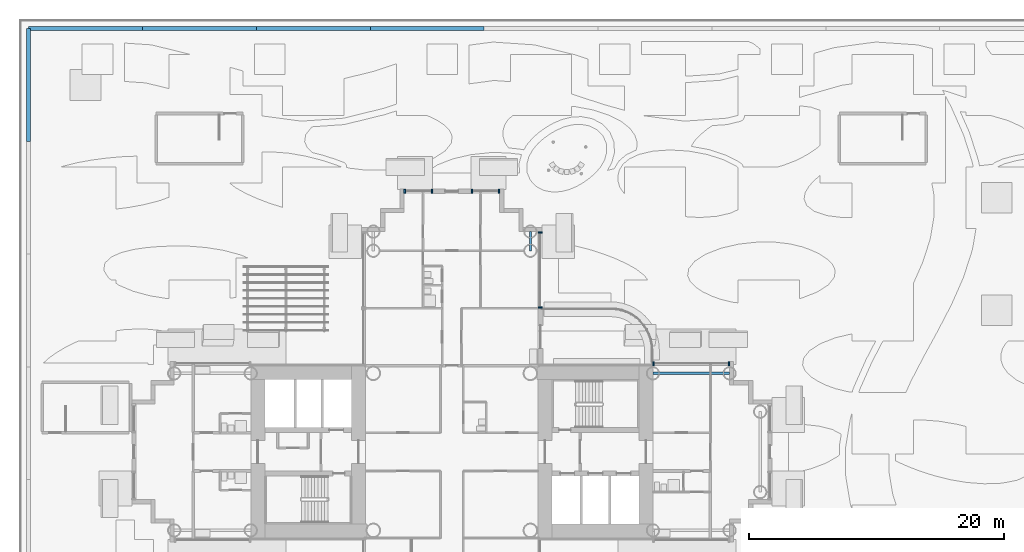
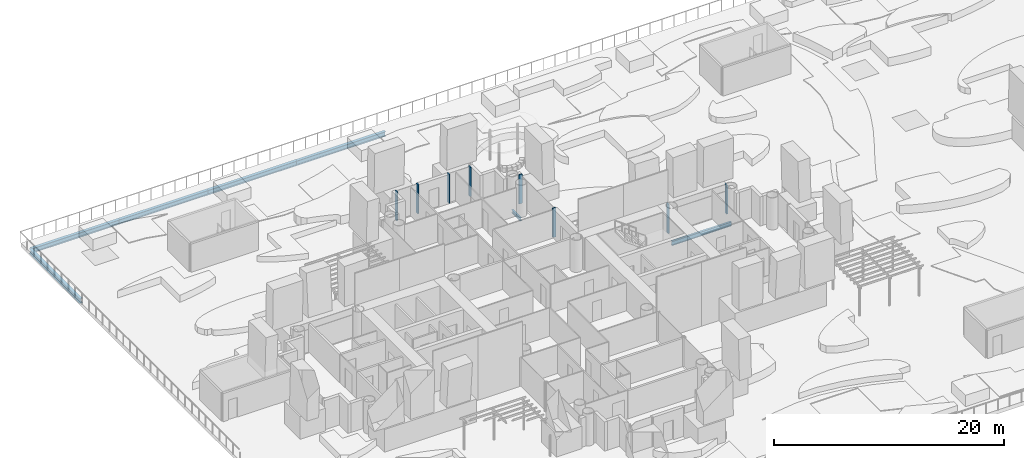
# One storey, part 11 of 40: 8 members, 7 beams, 4 elements without a shape of their own.
"""IFC4 building model written with IfcOpenShell, lengths in metres."""

from ifc_helpers import new_model, si_unit, direction, frame, origin, origin_2d, place, context, subcontext, project, spatial, rectangle, i_section, extrude, material, layer, layer_set, material_profile, profile_set, type_object, element, aggregate, save


model = new_model("IFC4")

# Units and contexts
model_context = context("Model", 3, precision=1e-05, world=origin(), true_north=direction((0.0, 1.0)))
body_context = subcontext(model_context, "Body", "Model", "MODEL_VIEW")
ifc_project = project(units=[si_unit("LENGTHUNIT", "METRE"), si_unit("AREAUNIT", "SQUARE_METRE"), si_unit("VOLUMEUNIT", "CUBIC_METRE"), si_unit("PLANEANGLEUNIT", "RADIAN"), si_unit("MASSUNIT", "GRAM", prefix="KILO")], contexts=[model_context])

# Site, building, storey
site_placement = place(None, origin())
site = spatial("IfcSite", under=ifc_project, at=site_placement, CompositionType="ELEMENT")
building_placement = place(site_placement, origin())
building = spatial("IfcBuilding", under=site, at=building_placement, Name="Ipe Terrace Towers", CompositionType="ELEMENT")
storey_placement = place(building_placement, frame((0.0, 0.0, 24.5)))
storey = spatial("IfcBuildingStorey", under=building, at=storey_placement, Name="L05", CompositionType="ELEMENT", Elevation=24.5)

# Beams
ifc_material_1 = material(Name="Steel S355", Category="steel")
ifc_material_profile_1 = material_profile(ifc_material_1, i_section(OverallWidth=0.175048828125, OverallDepth=0.35009765625, WebThickness=0.007080078125, FlangeThickness=0.010986328125, at=origin_2d()), Name="H-350x175x7x11")
ifc_profile_set_1 = profile_set([ifc_material_profile_1], Name="Steel S355")
beam_type_1 = type_object("IfcBeamType", Name="H04 EDGE BEAM H-350x175x7x11", PredefinedType="BEAM", material=ifc_profile_set_1)
beam_1_placement = place(storey_placement, frame((-29.85009765625, 15.75, -0.574951171875), z_axis=(0.0, 1.0, 0.0), x_axis=(-1.0, 0.0, 0.0)))
element("IfcBeam", 1, at=beam_1_placement, inside=storey, type_object=beam_type_1, Name="Edge beam T1-EB-B03-B05", PredefinedType="BEAM", context=body_context, shape_type="SweptSolid", body=[
    extrude(i_section(OverallWidth=0.175048828125, OverallDepth=0.35009765625, WebThickness=0.007080078125, FlangeThickness=0.010986328125, at=origin_2d()), origin(), (0.0, 0.0, 1.0), 1.5),
])
ifc_material_2 = material(Name="Steel S355", Category="steel")
ifc_material_profile_2 = material_profile(ifc_material_2, i_section(OverallWidth=0.199951171875, OverallDepth=0.449951171875, WebThickness=0.009033203125, FlangeThickness=0.013916015625, at=origin_2d()), Name="H-450x200x9x14")
ifc_profile_set_2 = profile_set([ifc_material_profile_2], Name="Steel S355")
beam_type_2 = type_object("IfcBeamType", Name="H08 EDGE BEAM H-450x200x9x14", PredefinedType="BEAM", material=ifc_profile_set_2)
beam_2_placement = place(storey_placement, frame((-20.25, 6.14990234375, -0.625), z_axis=(1.0, 0.0, 0.0), x_axis=(0.0, 1.0, 0.0)))
element("IfcBeam", 2, at=beam_2_placement, inside=storey, type_object=beam_type_2, Name="Edge beam T1-EB-A02-A04", PredefinedType="BEAM", context=body_context, shape_type="SweptSolid", body=[
    extrude(i_section(OverallWidth=0.199951171875, OverallDepth=0.449951171875, WebThickness=0.009033203125, FlangeThickness=0.013916015625, at=origin_2d()), origin(), (0.0, 0.0, 1.0), 6.0),
])
ifc_material_3 = material(Name="Steel S355", Category="steel")
ifc_material_profile_3 = material_profile(ifc_material_3, i_section(OverallWidth=0.300048828125, OverallDepth=0.488037109375, WebThickness=0.010986328125, FlangeThickness=0.01806640625, at=origin_2d()), Name="H-488x300x11x18")
ifc_profile_set_3 = profile_set([ifc_material_profile_3], Name="Steel S355")
beam_type_3 = type_object("IfcBeamType", Name="H09 EDGE BEAM H-488x300x11x18", PredefinedType="BEAM", material=ifc_profile_set_3)
beam_3_placement = place(storey_placement, frame((-69.14990234375, 24.321044921875, -0.6689453125), z_axis=(0.0, 1.0, 0.0), x_axis=(-1.0, 0.0, 0.0)))
element("IfcBeam", 3, at=beam_3_placement, inside=storey, type_object=beam_type_3, Name="Edge beam PD-EB-J01-K01", PredefinedType="BEAM", context=body_context, shape_type="SweptSolid", body=[
    extrude(i_section(OverallWidth=0.300048828125, OverallDepth=0.488037109375, WebThickness=0.010986328125, FlangeThickness=0.01806640625, at=origin_2d()), origin(), (0.0, 0.0, 1.0), 8.828857421875),
])
for number, where, z_axis, x_axis, name in (
    (4, (-69.14990234375, 33.14990234375, -0.6689453125), (1.0, 0.0, 0.0), (0.0, 1.0, 0.0), "Edge beam PD-EB-K01-K02"),
    (5, (-60.22998046875, 33.14990234375, -0.6689453125), (1.0, 0.0, 0.0), (0.0, 1.0, 0.0), "Edge beam PD-EB-K02-K03"),
):
    element("IfcBeam", number, at=place(storey_placement, frame(where, z_axis=z_axis, x_axis=x_axis)), inside=storey, type_object=beam_type_3, Name=name, PredefinedType="BEAM", context=body_context, shape_type="SweptSolid", body=[
        extrude(i_section(OverallWidth=0.300048828125, OverallDepth=0.488037109375, WebThickness=0.010986328125, FlangeThickness=0.01806640625, at=origin_2d()), origin(), (0.0, 0.0, 1.0), 8.919921875),
    ])
beam_4_placement = place(storey_placement, frame((-51.31005859375, 33.14990234375, -0.6689453125), z_axis=(1.0, 0.0, 0.0), x_axis=(0.0, 1.0, 0.0)))
element("IfcBeam", 6, at=beam_4_placement, inside=storey, type_object=beam_type_3, Name="Edge beam PD-EB-K03-K04", PredefinedType="BEAM", context=body_context, shape_type="SweptSolid", body=[
    extrude(i_section(OverallWidth=0.300048828125, OverallDepth=0.488037109375, WebThickness=0.010986328125, FlangeThickness=0.01806640625, at=origin_2d()), origin(), (0.0, 0.0, 1.0), 8.920166015625),
])
beam_5_placement = place(storey_placement, frame((-42.389892578125, 33.14990234375, -0.6689453125), z_axis=(1.0, 0.0, 0.0), x_axis=(0.0, 1.0, 0.0)))
element("IfcBeam", 7, at=beam_5_placement, inside=storey, type_object=beam_type_3, Name="Edge beam PD-EB-K04-K05", PredefinedType="BEAM", context=body_context, shape_type="SweptSolid", body=[
    extrude(i_section(OverallWidth=0.300048828125, OverallDepth=0.488037109375, WebThickness=0.010986328125, FlangeThickness=0.01806640625, at=origin_2d()), origin(), (0.0, 0.0, 1.0), 8.919921875),
])

# Curtain wall, members
ifc_material_4 = material(Name="Aluminium alloy 6063-T6", Category="aluminium")
ifc_layer = layer(ifc_material_4, 0.320068359375)
ifc_layer_set = layer_set([ifc_layer], Name="TOWER UNITISED CURTAIN WALL")
curtain_wall_type = type_object("IfcCurtainWallType", Name="TOWER UNITISED CURTAIN WALL", PredefinedType="NOTDEFINED", material=ifc_layer_set)
curtain_wall_1_placement = place(storey_placement, origin())
curtain_wall_1 = element("IfcCurtainWall", 8, at=curtain_wall_1_placement, inside=storey, type_object=curtain_wall_type, Name="T1-CW-L05-30a curtain wall", PredefinedType="NOTDEFINED")
ifc_material_5 = material(Name="Aluminium alloy 6063-T6", Category="aluminium")
ifc_material_profile_4 = material_profile(ifc_material_5, rectangle(XDim=0.320068359375, YDim=0.1201171875, at=origin_2d()), Name="TOWER UNITISED CORNER MULLION 320 x 120")
ifc_profile_set_4 = profile_set([ifc_material_profile_4], Name="Aluminium alloy 6063-T6")
member_type = type_object("IfcMemberType", Name="TOWER UNITISED CORNER MULLION 320 x 120", PredefinedType="MULLION", material=ifc_profile_set_4)
member_1_placement = place(storey_placement, frame((-14.31005859375, 6.909912109375, 0.0), z_axis=(0.0, 0.0, 1.0), x_axis=(0.0, 1.0, 0.0)))
member_1 = element("IfcMember", 9, at=member_1_placement, type_object=member_type, Name="T1-CW-L05-30a mullion 1", PredefinedType="MULLION", context=body_context, shape_type="SweptSolid", body=[
    extrude(rectangle(XDim=0.320068359375, YDim=0.1201171875, at=origin_2d()), origin(), (0.0, 0.0, 1.0), 3.10009765625),
])
member_2_placement = place(storey_placement, frame((-20.18896484375, 6.909912109375, 0.0), z_axis=(0.0, 0.0, 1.0), x_axis=(0.0, 1.0, 0.0)))
member_2 = element("IfcMember", 10, at=member_2_placement, type_object=member_type, Name="T1-CW-L05-30a mullion 2", PredefinedType="MULLION", context=body_context, shape_type="SweptSolid", body=[
    extrude(rectangle(XDim=0.320068359375, YDim=0.1201171875, at=origin_2d()), origin(), (0.0, 0.0, 1.0), 3.10009765625),
])
aggregate(curtain_wall_1, [member_1, member_2])

curtain_wall_2_placement = place(storey_placement, origin())
curtain_wall_2 = element("IfcCurtainWall", 11, at=curtain_wall_2_placement, inside=storey, type_object=curtain_wall_type, Name="T1-CW-L05-33a curtain wall", PredefinedType="NOTDEFINED")
member_3_placement = place(storey_placement, frame((-29.090087890625, 11.31005859375, 0.0), z_axis=(0.0, 0.0, 1.0), x_axis=(1.0, 0.0, 0.0)))
member_3 = element("IfcMember", 12, at=member_3_placement, type_object=member_type, Name="T1-CW-L05-33a mullion 1", PredefinedType="MULLION", context=body_context, shape_type="SweptSolid", body=[
    extrude(rectangle(XDim=0.320068359375, YDim=0.1201171875, at=origin_2d()), origin(), (0.0, 0.0, 1.0), 3.10009765625),
])
member_4_placement = place(storey_placement, frame((-29.090087890625, 17.18994140625, 0.0), z_axis=(0.0, 0.0, 1.0), x_axis=(1.0, 0.0, 0.0)))
member_4 = element("IfcMember", 13, at=member_4_placement, type_object=member_type, Name="T1-CW-L05-33a mullion 2", PredefinedType="MULLION", context=body_context, shape_type="SweptSolid", body=[
    extrude(rectangle(XDim=0.320068359375, YDim=0.1201171875, at=origin_2d()), origin(), (0.0, 0.0, 1.0), 3.10009765625),
])
aggregate(curtain_wall_2, [member_3, member_4])

curtain_wall_3_placement = place(storey_placement, origin())
curtain_wall_3 = element("IfcCurtainWall", 14, at=curtain_wall_3_placement, inside=storey, type_object=curtain_wall_type, Name="T1-CW-L05-38a curtain wall", PredefinedType="NOTDEFINED")
member_5_placement = place(storey_placement, frame((-32.31005859375, 20.409912109375, 0.0), z_axis=(0.0, 0.0, 1.0), x_axis=(0.0, 1.0, 0.0)))
member_5 = element("IfcMember", 15, at=member_5_placement, type_object=member_type, Name="T1-CW-L05-38a mullion 1", PredefinedType="MULLION", context=body_context, shape_type="SweptSolid", body=[
    extrude(rectangle(XDim=0.320068359375, YDim=0.1201171875, at=origin_2d()), origin(), (0.0, 0.0, 1.0), 3.10009765625),
])
member_6_placement = place(storey_placement, frame((-34.43994140625, 20.409912109375, 0.0), z_axis=(0.0, 0.0, 1.0), x_axis=(0.0, 1.0, 0.0)))
member_6 = element("IfcMember", 16, at=member_6_placement, type_object=member_type, Name="T1-CW-L05-38a mullion 2", PredefinedType="MULLION", context=body_context, shape_type="SweptSolid", body=[
    extrude(rectangle(XDim=0.320068359375, YDim=0.1201171875, at=origin_2d()), origin(), (0.0, 0.0, 1.0), 3.10009765625),
])
aggregate(curtain_wall_3, [member_5, member_6])

curtain_wall_4_placement = place(storey_placement, origin())
curtain_wall_4 = element("IfcCurtainWall", 17, at=curtain_wall_4_placement, inside=storey, type_object=curtain_wall_type, Name="T1-CW-L05-38c curtain wall", PredefinedType="NOTDEFINED")
member_7_placement = place(storey_placement, frame((-37.56005859375, 20.409912109375, 0.0), z_axis=(0.0, 0.0, 1.0), x_axis=(0.0, 1.0, 0.0)))
member_7 = element("IfcMember", 18, at=member_7_placement, type_object=member_type, Name="T1-CW-L05-38c mullion 1", PredefinedType="MULLION", context=body_context, shape_type="SweptSolid", body=[
    extrude(rectangle(XDim=0.320068359375, YDim=0.1201171875, at=origin_2d()), origin(), (0.0, 0.0, 1.0), 3.10009765625),
])
member_8_placement = place(storey_placement, frame((-39.68994140625, 20.409912109375, 0.0), z_axis=(0.0, 0.0, 1.0), x_axis=(0.0, 1.0, 0.0)))
member_8 = element("IfcMember", 19, at=member_8_placement, type_object=member_type, Name="T1-CW-L05-38c mullion 2", PredefinedType="MULLION", context=body_context, shape_type="SweptSolid", body=[
    extrude(rectangle(XDim=0.320068359375, YDim=0.1201171875, at=origin_2d()), origin(), (0.0, 0.0, 1.0), 3.10009765625),
])
aggregate(curtain_wall_4, [member_7, member_8])

save(model, "model.ifc")
